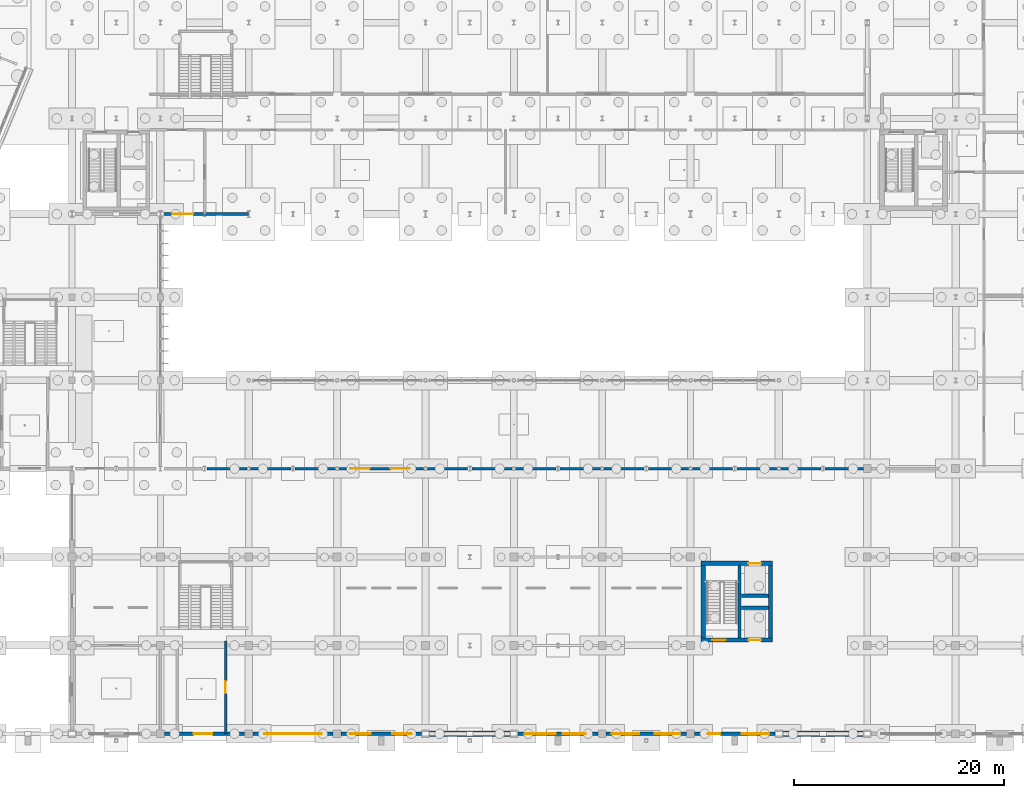
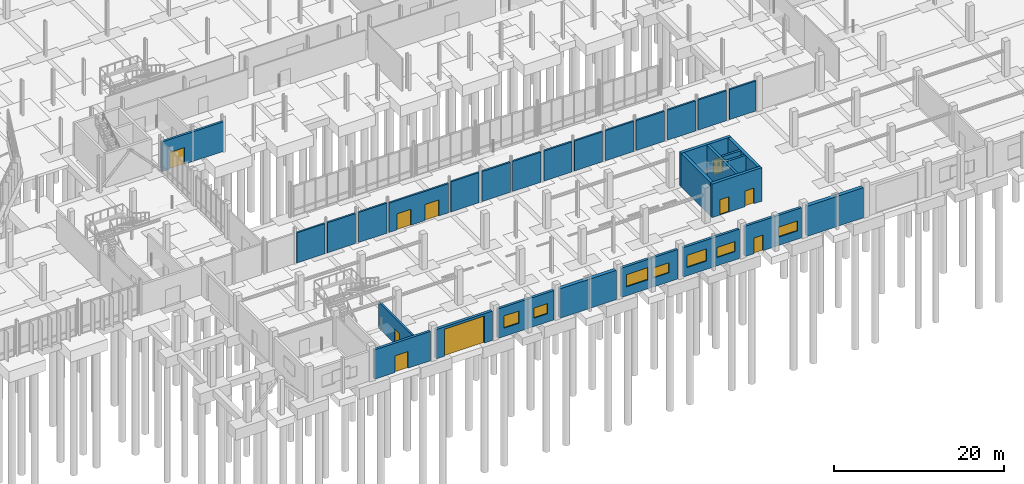
# One storey, part 82 of 119: 31 walls, 10 doors, 7 windows, 17 openings.
"""IFC4 building model written with IfcOpenShell, lengths in metres."""

from ifc_helpers import new_model, si_unit, derived_unit, direction, frame, frame_2d, origin, place, context, subcontext, project, spatial, rectangle, extrude, material, layer, layer_set, type_object, element, fill, save


model = new_model("IFC4")

# Units and contexts
model_context = context("Model", 3, precision=1e-05, world=origin(), true_north=direction((0.0, 1.0)))
body_context = subcontext(model_context, "Body", "Model", "MODEL_VIEW")
ifc_project = project(units=[si_unit("LENGTHUNIT", "METRE"), si_unit("AREAUNIT", "SQUARE_METRE"), si_unit("VOLUMEUNIT", "CUBIC_METRE"), si_unit("PLANEANGLEUNIT", "RADIAN"), si_unit("MASSUNIT", "GRAM", prefix="KILO"), derived_unit("THERMALTRANSMITTANCEUNIT", [(si_unit("MASSUNIT", "GRAM", prefix="KILO"), 1), (si_unit("TIMEUNIT", "SECOND"), -3), (si_unit("THERMODYNAMICTEMPERATUREUNIT", "KELVIN"), -1)])], contexts=[model_context])

# Site, building, storey
site_placement = place(None, origin())
site = spatial("IfcSite", under=ifc_project, at=site_placement, CompositionType="ELEMENT")
building_placement = place(site_placement, origin())
building = spatial("IfcBuilding", under=site, at=building_placement, Name="Makaiwela Harbour Ferry Terminal", CompositionType="ELEMENT")
storey_placement = place(building_placement, origin())
storey = spatial("IfcBuildingStorey", under=building, at=storey_placement, Name="L00", CompositionType="ELEMENT", Elevation=0.0)

# Wall, opening, door
ifc_material_1 = material(Name="Precast concrete f'c 40 MPa (6000 psi) with Hawaiian basalt rainscreen", Category="masonry")
ifc_layer_1 = layer(ifc_material_1, 0.300048828125)
ifc_layer_set_1 = layer_set([ifc_layer_1], Name="Precast concrete f'c 40 MPa (6000 psi) with Hawaiian basalt rainscreen")
wall_type_1 = type_object("IfcWallType", Name="ENV-WL-EXT300", PredefinedType="SOLIDWALL", material=ifc_layer_set_1)
wall_1_placement = place(storey_placement, frame((79.784912109375, 49.39990234375, 0.0), z_axis=(0.0, 0.0, 1.0), x_axis=(-1.0, 0.0, 0.0)))
wall_1 = element("IfcWall", 1, at=wall_1_placement, inside=storey, type_object=wall_type_1, Name="Exterior Wall EW-004", PredefinedType="SOLIDWALL", context=body_context, shape_type="SweptSolid", body=[
    extrude(rectangle(XDim=8.369873046875, YDim=0.300048828125, at=frame_2d((4.18505859375, 0.0))), origin(), (0.0, 0.0, 1.0), 4.258056640625),
])
opening_1_placement = place(wall_1_placement, frame((5.277587890625, 0.0, 0.0)))
opening_1 = element("IfcOpeningElement", 2, at=opening_1_placement, cuts=wall_1, Name="Opening ED-02", PredefinedType="OPENING", context=body_context, shape_type="SweptSolid", body=[
    extrude(rectangle(XDim=2.0, YDim=2.39990234375, at=frame_2d((1.0, 1.199951171875))), frame((0.0, 0.159912109375, 0.0), z_axis=(0.0, -1.0, 0.0), x_axis=(1.0, 0.0, 0.0)), (0.0, 0.0, 1.0), 0.320068359375),
])
ifc_material_2 = material(Name="Marine anodised aluminium 6063-T6", Category="aluminium")
door_type_1 = type_object("IfcDoorType", Name="ENV-DR-EXT200", OperationType="NOTDEFINED", PredefinedType="DOOR", material=ifc_material_2)
door_1_placement = place(opening_1_placement, origin())
door_1 = element("IfcDoor", 3, at=door_1_placement, inside=storey, type_object=door_type_1, Name="Exterior Door ED-02", OperationType="DOUBLE_DOOR_SINGLE_SWING", OverallHeight=2.39990234375, OverallWidth=2.0, PredefinedType="DOOR", context=body_context, shape_type="SweptSolid", body=[
    extrude(rectangle(XDim=2.0, YDim=2.39990234375, at=frame_2d((1.0, 1.199951171875))), frame((0.0, 0.02490234375, 0.0), z_axis=(0.0, -1.0, 0.0), x_axis=(1.0, 0.0, 0.0)), (0.0, 0.0, 1.0), 0.050048828125),
])
fill(opening_1, door_1)

ifc_layer_2 = layer(ifc_material_1, 0.340087890625)
ifc_layer_set_2 = layer_set([ifc_layer_2], Name="Precast concrete f'c 40 MPa (6000 psi) with Hawaiian basalt rainscreen")
wall_type_2 = type_object("IfcWallType", Name="ENV-WL-EXT340", PredefinedType="SOLIDWALL", material=ifc_layer_set_2)
wall_2_placement = place(storey_placement, frame((79.4169921875, 0.0, 0.0), z_axis=(0.0, 0.0, 1.0), x_axis=(-1.0, 0.0, 0.0)))
wall_2 = element("IfcWall", 4, at=wall_2_placement, inside=storey, type_object=wall_type_2, Name="Exterior Wall EW-020", PredefinedType="SOLIDWALL", context=body_context, shape_type="SweptSolid", body=[
    extrude(rectangle(XDim=7.634033203125, YDim=0.340087890625, at=frame_2d((3.81689453125, 0.0))), origin(), (0.0, 0.0, 1.0), 4.22607421875),
])
opening_2_placement = place(wall_2_placement, frame((3.069580078125, 0.0, 0.0)))
opening_2 = element("IfcOpeningElement", 5, at=opening_2_placement, cuts=wall_2, Name="Opening ED-01", PredefinedType="OPENING", context=body_context, shape_type="SweptSolid", body=[
    extrude(rectangle(XDim=1.800048828125, YDim=2.39990234375, at=frame_2d((0.89990234375, 1.199951171875))), frame((0.0, 0.179931640625, 0.0), z_axis=(0.0, -1.0, 0.0), x_axis=(1.0, 0.0, 0.0)), (0.0, 0.0, 1.0), 0.360107421875),
])
door_type_2 = type_object("IfcDoorType", Name="ENV-DR-EXT180", OperationType="NOTDEFINED", PredefinedType="DOOR", material=ifc_material_2)
door_2_placement = place(opening_2_placement, origin())
door_2 = element("IfcDoor", 6, at=door_2_placement, inside=storey, type_object=door_type_2, Name="Exterior Door ED-01", OperationType="DOUBLE_DOOR_SINGLE_SWING", OverallHeight=2.39990234375, OverallWidth=1.800048828125, PredefinedType="DOOR", context=body_context, shape_type="SweptSolid", body=[
    extrude(rectangle(XDim=1.800048828125, YDim=2.39990234375, at=frame_2d((0.89990234375, 1.199951171875))), frame((0.0, 0.02490234375, 0.0), z_axis=(0.0, -1.0, 0.0), x_axis=(1.0, 0.0, 0.0)), (0.0, 0.0, 1.0), 0.050048828125),
])
fill(opening_2, door_2)

# Wall, openings, windows
wall_3_placement = place(storey_placement, frame((96.217041015625, 0.0, 0.0), z_axis=(0.0, 0.0, 1.0), x_axis=(-1.0, 0.0, 0.0)))
wall_3 = element("IfcWall", 7, at=wall_3_placement, inside=storey, type_object=wall_type_2, Name="Exterior Wall EW-024", PredefinedType="SOLIDWALL", context=body_context, shape_type="SweptSolid", body=[
    extrude(rectangle(XDim=7.634033203125, YDim=0.340087890625, at=frame_2d((3.81689453125, 0.0))), origin(), (0.0, 0.0, 1.0), 4.22607421875),
])
opening_3_placement = place(wall_3_placement, frame((0.9072265625, 0.0, 1.199951171875)))
opening_3 = element("IfcOpeningElement", 8, at=opening_3_placement, cuts=wall_3, Name="Opening W-12", PredefinedType="OPENING", context=body_context, shape_type="SweptSolid", body=[
    extrude(rectangle(XDim=1.85009765625, YDim=1.449951171875, at=frame_2d((0.925048828125, 0.72509765625))), frame((0.0, 0.179931640625, 0.0), z_axis=(0.0, -1.0, 0.0), x_axis=(1.0, 0.0, 0.0)), (0.0, 0.0, 1.0), 0.360107421875),
])
opening_4_placement = place(wall_3_placement, frame((4.8017578125, 0.0, 1.199951171875)))
opening_4 = element("IfcOpeningElement", 9, at=opening_4_placement, cuts=wall_3, Name="Opening W-23", PredefinedType="OPENING", context=body_context, shape_type="SweptSolid", body=[
    extrude(rectangle(XDim=2.0, YDim=1.75, at=frame_2d((1.0, 0.875))), frame((0.0, 0.179931640625, 0.0), z_axis=(0.0, -1.0, 0.0), x_axis=(1.0, 0.0, 0.0)), (0.0, 0.0, 1.0), 0.360107421875),
])
ifc_material_3 = material(Name="Laminated hurricane-impact low-E insulated glazing", Category="glass")
window_type_1 = type_object("IfcWindowType", Name="ENV-WIN-12", PartitioningType="SINGLE_PANEL", PredefinedType="WINDOW", material=ifc_material_3)
window_1_placement = place(opening_3_placement, origin())
window_1 = element("IfcWindow", 10, at=window_1_placement, inside=storey, type_object=window_type_1, Name="Exterior Window W-12", OverallHeight=1.449951171875, OverallWidth=1.85009765625, PartitioningType="SINGLE_PANEL", PredefinedType="WINDOW", context=body_context, shape_type="SweptSolid", body=[
    extrude(rectangle(XDim=1.85009765625, YDim=1.449951171875, at=frame_2d((0.925048828125, 0.72509765625))), frame((0.0, 0.030029296875, 0.0), z_axis=(0.0, -1.0, 0.0), x_axis=(1.0, 0.0, 0.0)), (0.0, 0.0, 1.0), 0.06005859375),
])
fill(opening_3, window_1)
window_type_2 = type_object("IfcWindowType", Name="ENV-WIN-23", PartitioningType="SINGLE_PANEL", PredefinedType="WINDOW", material=ifc_material_3)
window_2_placement = place(opening_4_placement, origin())
window_2 = element("IfcWindow", 11, at=window_2_placement, inside=storey, type_object=window_type_2, Name="Exterior Window W-23", OverallHeight=1.75, OverallWidth=2.0, PartitioningType="SINGLE_PANEL", PredefinedType="WINDOW", context=body_context, shape_type="SweptSolid", body=[
    extrude(rectangle(XDim=2.0, YDim=1.75, at=frame_2d((1.0, 0.875))), frame((0.0, 0.030029296875, 0.0), z_axis=(0.0, -1.0, 0.0), x_axis=(1.0, 0.0, 0.0)), (0.0, 0.0, 1.0), 0.06005859375),
])
fill(opening_4, window_2)

wall_4_placement = place(storey_placement, frame((113.01708984375, 0.0, 0.0), z_axis=(0.0, 0.0, 1.0), x_axis=(-1.0, 0.0, 0.0)))
wall_4 = element("IfcWall", 12, at=wall_4_placement, inside=storey, type_object=wall_type_2, Name="Exterior Wall EW-028", PredefinedType="SOLIDWALL", context=body_context, shape_type="SweptSolid", body=[
    extrude(rectangle(XDim=7.634033203125, YDim=0.340087890625, at=frame_2d((3.81689453125, 0.0))), origin(), (0.0, 0.0, 1.0), 4.22607421875),
])
opening_5_placement = place(wall_4_placement, frame((1.190185546875, 0.0, 1.300048828125)))
opening_5 = element("IfcOpeningElement", 13, at=opening_5_placement, cuts=wall_4, Name="Opening W-14", PredefinedType="OPENING", context=body_context, shape_type="SweptSolid", body=[
    extrude(rectangle(XDim=2.199951171875, YDim=1.449951171875, at=frame_2d((1.10009765625, 0.72509765625))), frame((0.0, 0.179931640625, 0.0), z_axis=(0.0, -1.0, 0.0), x_axis=(1.0, 0.0, 0.0)), (0.0, 0.0, 1.0), 0.360107421875),
])
opening_6_placement = place(wall_4_placement, frame((4.04638671875, 0.0, 1.300048828125)))
opening_6 = element("IfcOpeningElement", 14, at=opening_6_placement, cuts=wall_4, Name="Opening W-27", PredefinedType="OPENING", context=body_context, shape_type="SweptSolid", body=[
    extrude(rectangle(XDim=2.89990234375, YDim=1.75, at=frame_2d((1.449951171875, 0.875))), frame((0.0, 0.179931640625, 0.0), z_axis=(0.0, -1.0, 0.0), x_axis=(1.0, 0.0, 0.0)), (0.0, 0.0, 1.0), 0.360107421875),
])
window_type_3 = type_object("IfcWindowType", Name="ENV-WIN-14", PartitioningType="SINGLE_PANEL", PredefinedType="WINDOW", material=ifc_material_3)
window_3_placement = place(opening_5_placement, origin())
window_3 = element("IfcWindow", 15, at=window_3_placement, inside=storey, type_object=window_type_3, Name="Exterior Window W-14", OverallHeight=1.449951171875, OverallWidth=2.199951171875, PartitioningType="SINGLE_PANEL", PredefinedType="WINDOW", context=body_context, shape_type="SweptSolid", body=[
    extrude(rectangle(XDim=2.199951171875, YDim=1.449951171875, at=frame_2d((1.10009765625, 0.72509765625))), frame((0.0, 0.030029296875, 0.0), z_axis=(0.0, -1.0, 0.0), x_axis=(1.0, 0.0, 0.0)), (0.0, 0.0, 1.0), 0.06005859375),
])
fill(opening_5, window_3)
window_type_4 = type_object("IfcWindowType", Name="ENV-WIN-27", PartitioningType="SINGLE_PANEL", PredefinedType="WINDOW", material=ifc_material_3)
window_4_placement = place(opening_6_placement, origin())
window_4 = element("IfcWindow", 16, at=window_4_placement, inside=storey, type_object=window_type_4, Name="Exterior Window W-27", OverallHeight=1.75, OverallWidth=2.89990234375, PartitioningType="SINGLE_PANEL", PredefinedType="WINDOW", context=body_context, shape_type="SweptSolid", body=[
    extrude(rectangle(XDim=2.89990234375, YDim=1.75, at=frame_2d((1.449951171875, 0.875))), frame((0.0, 0.030029296875, 0.0), z_axis=(0.0, -1.0, 0.0), x_axis=(1.0, 0.0, 0.0)), (0.0, 0.0, 1.0), 0.06005859375),
])
fill(opening_6, window_4)

wall_5_placement = place(storey_placement, frame((121.4169921875, 0.0, 0.0), z_axis=(0.0, 0.0, 1.0), x_axis=(-1.0, 0.0, 0.0)))
wall_5 = element("IfcWall", 17, at=wall_5_placement, inside=storey, type_object=wall_type_2, Name="Exterior Wall EW-030", PredefinedType="SOLIDWALL", context=body_context, shape_type="SweptSolid", body=[
    extrude(rectangle(XDim=7.634033203125, YDim=0.340087890625, at=frame_2d((3.81689453125, 0.0))), origin(), (0.0, 0.0, 1.0), 4.22607421875),
])
opening_7_placement = place(wall_5_placement, frame((0.632080078125, 0.0, 1.199951171875)))
opening_7 = element("IfcOpeningElement", 18, at=opening_7_placement, cuts=wall_5, Name="Opening W-15", PredefinedType="OPENING", context=body_context, shape_type="SweptSolid", body=[
    extrude(rectangle(XDim=2.39990234375, YDim=1.449951171875, at=frame_2d((1.199951171875, 0.72509765625))), frame((0.0, 0.179931640625, 0.0), z_axis=(0.0, -1.0, 0.0), x_axis=(1.0, 0.0, 0.0)), (0.0, 0.0, 1.0), 0.360107421875),
])
opening_8_placement = place(wall_5_placement, frame((4.476806640625, 0.0, 1.199951171875)))
opening_8 = element("IfcOpeningElement", 19, at=opening_8_placement, cuts=wall_5, Name="Opening W-26", PredefinedType="OPENING", context=body_context, shape_type="SweptSolid", body=[
    extrude(rectangle(XDim=2.64990234375, YDim=1.75, at=frame_2d((1.324951171875, 0.875))), frame((0.0, 0.179931640625, 0.0), z_axis=(0.0, -1.0, 0.0), x_axis=(1.0, 0.0, 0.0)), (0.0, 0.0, 1.0), 0.360107421875),
])
window_type_5 = type_object("IfcWindowType", Name="ENV-WIN-15", PartitioningType="SINGLE_PANEL", PredefinedType="WINDOW", material=ifc_material_3)
window_5_placement = place(opening_7_placement, origin())
window_5 = element("IfcWindow", 20, at=window_5_placement, inside=storey, type_object=window_type_5, Name="Exterior Window W-15", OverallHeight=1.449951171875, OverallWidth=2.39990234375, PartitioningType="SINGLE_PANEL", PredefinedType="WINDOW", context=body_context, shape_type="SweptSolid", body=[
    extrude(rectangle(XDim=2.39990234375, YDim=1.449951171875, at=frame_2d((1.199951171875, 0.72509765625))), frame((0.0, 0.030029296875, 0.0), z_axis=(0.0, -1.0, 0.0), x_axis=(1.0, 0.0, 0.0)), (0.0, 0.0, 1.0), 0.06005859375),
])
fill(opening_7, window_5)
window_type_6 = type_object("IfcWindowType", Name="ENV-WIN-26", PartitioningType="SINGLE_PANEL", PredefinedType="WINDOW", material=ifc_material_3)
window_6_placement = place(opening_8_placement, origin())
window_6 = element("IfcWindow", 21, at=window_6_placement, inside=storey, type_object=window_type_6, Name="Exterior Window W-26", OverallHeight=1.75, OverallWidth=2.64990234375, PartitioningType="SINGLE_PANEL", PredefinedType="WINDOW", context=body_context, shape_type="SweptSolid", body=[
    extrude(rectangle(XDim=2.64990234375, YDim=1.75, at=frame_2d((1.324951171875, 0.875))), frame((0.0, 0.030029296875, 0.0), z_axis=(0.0, -1.0, 0.0), x_axis=(1.0, 0.0, 0.0)), (0.0, 0.0, 1.0), 0.06005859375),
])
fill(opening_8, window_6)

# Wall, openings, door, window
wall_6_placement = place(storey_placement, frame((129.81689453125, 0.0, 0.0), z_axis=(0.0, 0.0, 1.0), x_axis=(-1.0, 0.0, 0.0)))
wall_6 = element("IfcWall", 22, at=wall_6_placement, inside=storey, type_object=wall_type_2, Name="Exterior Wall EW-032", PredefinedType="SOLIDWALL", context=body_context, shape_type="SweptSolid", body=[
    extrude(rectangle(XDim=7.6337890625, YDim=0.340087890625, at=frame_2d((3.81689453125, 0.0))), origin(), (0.0, 0.0, 1.0), 4.343994140625),
])
opening_9_placement = place(wall_6_placement, frame((5.201904296875, 0.0, 0.0)))
opening_9 = element("IfcOpeningElement", 23, at=opening_9_placement, cuts=wall_6, Name="Opening ED-05", PredefinedType="OPENING", context=body_context, shape_type="SweptSolid", body=[
    extrude(rectangle(XDim=1.199951171875, YDim=2.25, at=frame_2d((0.60009765625, 1.125))), frame((0.0, 0.179931640625, 0.0), z_axis=(0.0, -1.0, 0.0), x_axis=(1.0, 0.0, 0.0)), (0.0, 0.0, 1.0), 0.360107421875),
])
opening_10_placement = place(wall_6_placement, frame((0.5322265625, 0.0, 1.199951171875)))
opening_10 = element("IfcOpeningElement", 24, at=opening_10_placement, cuts=wall_6, Name="Opening W-16", PredefinedType="OPENING", context=body_context, shape_type="SweptSolid", body=[
    extrude(rectangle(XDim=2.60009765625, YDim=1.449951171875, at=frame_2d((1.300048828125, 0.72509765625))), frame((0.0, 0.179931640625, 0.0), z_axis=(0.0, -1.0, 0.0), x_axis=(1.0, 0.0, 0.0)), (0.0, 0.0, 1.0), 0.360107421875),
])
door_type_3 = type_object("IfcDoorType", Name="ENV-DR-EXT120", OperationType="NOTDEFINED", PredefinedType="DOOR", material=ifc_material_2)
door_3_placement = place(opening_9_placement, origin())
door_3 = element("IfcDoor", 25, at=door_3_placement, inside=storey, type_object=door_type_3, Name="Exterior Door ED-05", OperationType="SINGLE_SWING_RIGHT", OverallHeight=2.25, OverallWidth=1.199951171875, PredefinedType="DOOR", context=body_context, shape_type="SweptSolid", body=[
    extrude(rectangle(XDim=1.199951171875, YDim=2.25, at=frame_2d((0.60009765625, 1.125))), frame((0.0, 0.02490234375, 0.0), z_axis=(0.0, -1.0, 0.0), x_axis=(1.0, 0.0, 0.0)), (0.0, 0.0, 1.0), 0.050048828125),
])
fill(opening_9, door_3)
window_type_7 = type_object("IfcWindowType", Name="ENV-WIN-16", PartitioningType="SINGLE_PANEL", PredefinedType="WINDOW", material=ifc_material_3)
window_7_placement = place(opening_10_placement, origin())
window_7 = element("IfcWindow", 26, at=window_7_placement, inside=storey, type_object=window_type_7, Name="Exterior Window W-16", OverallHeight=1.449951171875, OverallWidth=2.60009765625, PartitioningType="SINGLE_PANEL", PredefinedType="WINDOW", context=body_context, shape_type="SweptSolid", body=[
    extrude(rectangle(XDim=2.60009765625, YDim=1.449951171875, at=frame_2d((1.300048828125, 0.72509765625))), frame((0.0, 0.030029296875, 0.0), z_axis=(0.0, -1.0, 0.0), x_axis=(1.0, 0.0, 0.0)), (0.0, 0.0, 1.0), 0.06005859375),
])
fill(opening_10, window_7)

# Wall, opening, door
ifc_material_4 = material(Name="Precast concrete f'c 40 MPa (6000 psi)", Category="concrete")
ifc_layer_3 = layer(ifc_material_4, 0.3798828125)
ifc_layer_set_3 = layer_set([ifc_layer_3], Name="Precast concrete f'c 40 MPa (6000 psi)")
wall_type_3 = type_object("IfcWallType", Name="ENV-WL-EXT380", PredefinedType="SOLIDWALL", material=ifc_layer_set_3)
wall_7_placement = place(storey_placement, frame((87.81689453125, 0.0, 0.0), z_axis=(0.0, 0.0, 1.0), x_axis=(-1.0, 0.0, 0.0)))
wall_7 = element("IfcWall", 27, at=wall_7_placement, inside=storey, type_object=wall_type_3, Name="Exterior Wall EW-022", PredefinedType="SOLIDWALL", context=body_context, shape_type="SweptSolid", body=[
    extrude(rectangle(XDim=7.6337890625, YDim=0.3798828125, at=frame_2d((3.81689453125, 0.0))), origin(), (0.0, 0.0, 1.0), 4.22607421875),
])
opening_11_placement = place(wall_7_placement, frame((1.092041015625, 0.0, 0.0)))
opening_11 = element("IfcOpeningElement", 28, at=opening_11_placement, cuts=wall_7, Name="Opening VG-03", PredefinedType="OPENING", context=body_context, shape_type="SweptSolid", body=[
    extrude(rectangle(XDim=5.449951171875, YDim=3.89990234375, at=frame_2d((2.72509765625, 1.949951171875))), frame((0.0, 0.199951171875, 0.0), z_axis=(0.0, -1.0, 0.0), x_axis=(1.0, 0.0, 0.0)), (0.0, 0.0, 1.0), 0.39990234375),
])
door_type_4 = type_object("IfcDoorType", Name="ENV-GT-VEH03", OperationType="NOTDEFINED", PredefinedType="GATE", material=ifc_material_2)
door_4_placement = place(opening_11_placement, origin())
door_4 = element("IfcDoor", 29, at=door_4_placement, inside=storey, type_object=door_type_4, Name="Exterior Door VG-03", OperationType="ROLLINGUP", OverallHeight=3.89990234375, OverallWidth=5.449951171875, PredefinedType="GATE", context=body_context, shape_type="SweptSolid", body=[
    extrude(rectangle(XDim=5.449951171875, YDim=3.89990234375, at=frame_2d((2.72509765625, 1.949951171875))), frame((0.0, 0.02490234375, 0.0), z_axis=(0.0, -1.0, 0.0), x_axis=(1.0, 0.0, 0.0)), (0.0, 0.0, 1.0), 0.050048828125),
])
fill(opening_11, door_4)

# Walls
ifc_layer_4 = layer(ifc_material_4, 0.47998046875)
ifc_layer_set_4 = layer_set([ifc_layer_4], Name="Precast concrete f'c 40 MPa (6000 psi)")
wall_type_4 = type_object("IfcWallType", Name="ENV-WL-EXT480", PredefinedType="SOLIDWALL", material=ifc_layer_set_4)
wall_8_placement = place(storey_placement, frame((104.616943359375, 0.0, 0.0), z_axis=(0.0, 0.0, 1.0), x_axis=(-1.0, 0.0, 0.0)))
element("IfcWall", 30, at=wall_8_placement, inside=storey, type_object=wall_type_4, Name="Exterior Wall EW-026", PredefinedType="SOLIDWALL", context=body_context, shape_type="SweptSolid", body=[
    extrude(rectangle(XDim=7.634033203125, YDim=0.47998046875, at=frame_2d((3.81689453125, 0.0))), origin(), (0.0, 0.0, 1.0), 4.22607421875),
])
wall_9_placement = place(storey_placement, frame((138.217041015625, 0.0, 0.0), z_axis=(0.0, 0.0, 1.0), x_axis=(-1.0, 0.0, 0.0)))
element("IfcWall", 31, at=wall_9_placement, inside=storey, type_object=wall_type_4, Name="Exterior Wall EW-034", PredefinedType="SOLIDWALL", context=body_context, shape_type="SweptSolid", body=[
    extrude(rectangle(XDim=7.634033203125, YDim=0.47998046875, at=frame_2d((3.81689453125, 0.0))), origin(), (0.0, 0.0, 1.0), 4.343994140625),
])

# Wall, opening, door
ifc_material_5 = material(Name="Fire-rated gypsum board on steel studs", Category="steel")
ifc_layer_5 = layer(ifc_material_5, 0.239990234375)
ifc_layer_set_5 = layer_set([ifc_layer_5], Name="Fire-rated gypsum board on steel studs")
wall_type_5 = type_object("IfcWallType", Name="INT-WL-FIR240", PredefinedType="SOLIDWALL", material=ifc_layer_set_5)
wall_10_placement = place(storey_placement, frame((77.60009765625, 0.0400390625, 0.0), z_axis=(0.0, 0.0, 1.0), x_axis=(0.0, 1.0, 0.0)))
wall_10 = element("IfcWall", 32, at=wall_10_placement, inside=storey, type_object=wall_type_5, Name="Interior Wall IW-0438", PredefinedType="SOLIDWALL", context=body_context, shape_type="SweptSolid", body=[
    extrude(rectangle(XDim=8.760009765625, YDim=0.239990234375, at=frame_2d((4.3798828125, 0.0))), origin(), (0.0, 0.0, 1.0), 3.77001953125),
])
opening_12_placement = place(wall_10_placement, frame((3.804931640625, 0.0, 0.0)))
opening_12 = element("IfcOpeningElement", 33, at=opening_12_placement, cuts=wall_10, Name="Opening D-01", PredefinedType="OPENING", context=body_context, shape_type="SweptSolid", body=[
    extrude(rectangle(XDim=1.14990234375, YDim=2.14990234375, at=frame_2d((0.574951171875, 1.074951171875))), frame((0.0, 0.1298828125, 0.0), z_axis=(0.0, -1.0, 0.0), x_axis=(1.0, 0.0, 0.0)), (0.0, 0.0, 1.0), 0.260009765625),
])
ifc_material_6 = material(Name="Insulated galvanised fire-rated steel leaf and frame", Category="steel")
door_type_5 = type_object("IfcDoorType", Name="INT-DR-ST115", OperationType="NOTDEFINED", PredefinedType="DOOR", material=ifc_material_6)
door_5_placement = place(opening_12_placement, origin())
door_5 = element("IfcDoor", 34, at=door_5_placement, inside=storey, type_object=door_type_5, Name="Door D-01", OperationType="SINGLE_SWING_LEFT", OverallHeight=2.14990234375, OverallWidth=1.14990234375, PredefinedType="DOOR", context=body_context, shape_type="SweptSolid", body=[
    extrude(rectangle(XDim=1.14990234375, YDim=2.14990234375, at=frame_2d((0.574951171875, 1.074951171875))), frame((0.0, 0.02490234375, 0.0), z_axis=(0.0, -1.0, 0.0), x_axis=(1.0, 0.0, 0.0)), (0.0, 0.0, 1.0), 0.050048828125),
])
fill(opening_12, door_5)

# Walls
for number, where, z_axis, x_axis, name in (
    (35, (75.805419921875, 25.199951171875, 0.0), (0.0, 0.0, 1.0), (1.0, 0.0, 0.0), "Interior Wall IW-0451"),
    (36, (79.951904296875, 25.199951171875, 0.0), (0.0, 0.0, 1.0), (1.0, 0.0, 0.0), "Interior Wall IW-0452"),
    (37, (84.20556640625, 25.199951171875, 0.0), (0.0, 0.0, 1.0), (1.0, 0.0, 0.0), "Interior Wall IW-0453"),
):
    element("IfcWall", number, at=place(storey_placement, frame(where, z_axis=z_axis, x_axis=x_axis)), inside=storey, type_object=wall_type_5, Name=name, PredefinedType="SOLIDWALL", context=body_context, shape_type="SweptSolid", body=[
        extrude(rectangle(XDim=3.842529296875, YDim=0.239990234375, at=frame_2d((1.92138671875, 0.0))), origin(), (0.0, 0.0, 1.0), 4.323974609375),
    ])

# Wall, openings, doors
wall_11_placement = place(storey_placement, frame((88.35205078125, 25.199951171875, 0.0), z_axis=(0.0, 0.0, 1.0), x_axis=(1.0, 0.0, 0.0)))
wall_11 = element("IfcWall", 38, at=wall_11_placement, inside=storey, type_object=wall_type_5, Name="Interior Wall IW-0454", PredefinedType="SOLIDWALL", context=body_context, shape_type="SweptSolid", body=[
    extrude(rectangle(XDim=8.095947265625, YDim=0.239990234375, at=frame_2d((4.0478515625, 0.0))), origin(), (0.0, 0.0, 1.0), 4.2060546875),
])
opening_13_placement = place(wall_11_placement, frame((1.09912109375, 0.0, 0.0)))
opening_13 = element("IfcOpeningElement", 39, at=opening_13_placement, cuts=wall_11, Name="Opening D-05", PredefinedType="OPENING", context=body_context, shape_type="SweptSolid", body=[
    extrude(rectangle(XDim=1.85009765625, YDim=2.300048828125, at=frame_2d((0.925048828125, 1.14990234375))), frame((0.0, 0.1298828125, 0.0), z_axis=(0.0, -1.0, 0.0), x_axis=(1.0, 0.0, 0.0)), (0.0, 0.0, 1.0), 0.260009765625),
])
opening_14_placement = place(wall_11_placement, frame((4.904052734375, 0.0, 0.0)))
opening_14 = element("IfcOpeningElement", 40, at=opening_14_placement, cuts=wall_11, Name="Opening D-05", PredefinedType="OPENING", context=body_context, shape_type="SweptSolid", body=[
    extrude(rectangle(XDim=1.85009765625, YDim=2.300048828125, at=frame_2d((0.925048828125, 1.14990234375))), frame((0.0, 0.1298828125, 0.0), z_axis=(0.0, -1.0, 0.0), x_axis=(1.0, 0.0, 0.0)), (0.0, 0.0, 1.0), 0.260009765625),
])
door_type_6 = type_object("IfcDoorType", Name="INT-DR-COR185", OperationType="NOTDEFINED", PredefinedType="DOOR", material=ifc_material_6)
door_6_placement = place(opening_13_placement, origin())
door_6 = element("IfcDoor", 41, at=door_6_placement, inside=storey, type_object=door_type_6, Name="Door D-05", OperationType="DOUBLE_DOOR_SINGLE_SWING", OverallHeight=2.300048828125, OverallWidth=1.85009765625, PredefinedType="DOOR", context=body_context, shape_type="SweptSolid", body=[
    extrude(rectangle(XDim=1.85009765625, YDim=2.300048828125, at=frame_2d((0.925048828125, 1.14990234375))), frame((0.0, 0.02490234375, 0.0), z_axis=(0.0, -1.0, 0.0), x_axis=(1.0, 0.0, 0.0)), (0.0, 0.0, 1.0), 0.050048828125),
])
fill(opening_13, door_6)
door_7_placement = place(opening_14_placement, origin())
door_7 = element("IfcDoor", 42, at=door_7_placement, inside=storey, type_object=door_type_6, Name="Door D-05", OperationType="DOUBLE_DOOR_SINGLE_SWING", OverallHeight=2.300048828125, OverallWidth=1.85009765625, PredefinedType="DOOR", context=body_context, shape_type="SweptSolid", body=[
    extrude(rectangle(XDim=1.85009765625, YDim=2.300048828125, at=frame_2d((0.925048828125, 1.14990234375))), frame((0.0, 0.02490234375, 0.0), z_axis=(0.0, -1.0, 0.0), x_axis=(1.0, 0.0, 0.0)), (0.0, 0.0, 1.0), 0.050048828125),
])
fill(opening_14, door_7)

# Walls
wall_12_placement = place(storey_placement, frame((96.751953125, 25.199951171875, 0.0), z_axis=(0.0, 0.0, 1.0), x_axis=(1.0, 0.0, 0.0)))
element("IfcWall", 43, at=wall_12_placement, inside=storey, type_object=wall_type_5, Name="Interior Wall IW-0455", PredefinedType="SOLIDWALL", context=body_context, shape_type="SweptSolid", body=[
    extrude(rectangle(XDim=3.842529296875, YDim=0.239990234375, at=frame_2d((1.92138671875, 0.0))), origin(), (0.0, 0.0, 1.0), 4.323974609375),
])
for number, where, z_axis, x_axis, name in (
    (44, (101.005615234375, 25.199951171875, 0.0), (0.0, 0.0, 1.0), (1.0, 0.0, 0.0), "Interior Wall IW-0456"),
    (45, (105.152099609375, 25.199951171875, 0.0), (0.0, 0.0, 1.0), (1.0, 0.0, 0.0), "Interior Wall IW-0457"),
):
    element("IfcWall", number, at=place(storey_placement, frame(where, z_axis=z_axis, x_axis=x_axis)), inside=storey, type_object=wall_type_5, Name=name, PredefinedType="SOLIDWALL", context=body_context, shape_type="SweptSolid", body=[
        extrude(rectangle(XDim=3.84228515625, YDim=0.239990234375, at=frame_2d((1.921142578125, 0.0))), origin(), (0.0, 0.0, 1.0), 4.323974609375),
    ])
for number, where, z_axis, x_axis, name in (
    (46, (109.405517578125, 25.199951171875, 0.0), (0.0, 0.0, 1.0), (1.0, 0.0, 0.0), "Interior Wall IW-0458"),
    (47, (113.552001953125, 25.199951171875, 0.0), (0.0, 0.0, 1.0), (1.0, 0.0, 0.0), "Interior Wall IW-0459"),
    (48, (117.805419921875, 25.199951171875, 0.0), (0.0, 0.0, 1.0), (1.0, 0.0, 0.0), "Interior Wall IW-0460"),
    (49, (121.951904296875, 25.199951171875, 0.0), (0.0, 0.0, 1.0), (1.0, 0.0, 0.0), "Interior Wall IW-0461"),
    (50, (126.20556640625, 25.199951171875, 0.0), (0.0, 0.0, 1.0), (1.0, 0.0, 0.0), "Interior Wall IW-0462"),
    (51, (130.35205078125, 25.199951171875, 0.0), (0.0, 0.0, 1.0), (1.0, 0.0, 0.0), "Interior Wall IW-0463"),
):
    element("IfcWall", number, at=place(storey_placement, frame(where, z_axis=z_axis, x_axis=x_axis)), inside=storey, type_object=wall_type_5, Name=name, PredefinedType="SOLIDWALL", context=body_context, shape_type="SweptSolid", body=[
        extrude(rectangle(XDim=3.842529296875, YDim=0.239990234375, at=frame_2d((1.92138671875, 0.0))), origin(), (0.0, 0.0, 1.0), 4.323974609375),
    ])
wall_13_placement = place(storey_placement, frame((134.60546875, 25.199951171875, 0.0), z_axis=(0.0, 0.0, 1.0), x_axis=(1.0, 0.0, 0.0)))
element("IfcWall", 52, at=wall_13_placement, inside=storey, type_object=wall_type_5, Name="Interior Wall IW-0464", PredefinedType="SOLIDWALL", context=body_context, shape_type="SweptSolid", body=[
    extrude(rectangle(XDim=3.629638671875, YDim=0.239990234375, at=frame_2d((1.81494140625, 0.0))), origin(), (0.0, 0.0, 1.0), 4.323974609375),
])
ifc_material_7 = material(Name="Concrete f'c 45 MPa (6500 psi)", Category="concrete")
ifc_layer_6 = layer(ifc_material_7, 0.320068359375)
ifc_layer_set_6 = layer_set([ifc_layer_6], Name="Concrete f'c 45 MPa (6500 psi)")
wall_type_6 = type_object("IfcWallType", Name="INT-WL-SHR320", PredefinedType="SHEAR", material=ifc_layer_set_6)
wall_14_placement = place(storey_placement, frame((126.4560546875, 9.110107421875, 0.0), z_axis=(0.0, 0.0, 1.0), x_axis=(0.0, 1.0, 0.0)))
element("IfcWall", 53, at=wall_14_placement, inside=storey, type_object=wall_type_6, Name="Interior Wall IW-0218", PredefinedType="SHEAR", context=body_context, shape_type="SweptSolid", body=[
    extrude(rectangle(XDim=6.8798828125, YDim=0.320068359375, at=frame_2d((3.43994140625, 0.0))), origin(), (0.0, 0.0, 1.0), 4.820068359375),
])
for number, where, z_axis, x_axis, name in (
    (54, (126.62109375, 11.989990234375, 0.0), (0.0, 0.0, 1.0), (1.0, 0.0, 0.0), "Interior Wall IW-0219"),
    (55, (126.62109375, 13.110107421875, 0.0), (0.0, 0.0, 1.0), (1.0, 0.0, 0.0), "Interior Wall IW-0220"),
):
    element("IfcWall", number, at=place(storey_placement, frame(where, z_axis=z_axis, x_axis=x_axis)), inside=storey, type_object=wall_type_6, Name=name, PredefinedType="SHEAR", context=body_context, shape_type="SweptSolid", body=[
        extrude(rectangle(XDim=2.573974609375, YDim=0.320068359375, at=frame_2d((1.287109375, 0.0))), origin(), (0.0, 0.0, 1.0), 4.820068359375),
    ])

# Wall, openings, doors
ifc_layer_7 = layer(ifc_material_7, 0.39990234375)
ifc_layer_set_7 = layer_set([ifc_layer_7], Name="Concrete f'c 45 MPa (6500 psi)")
wall_type_7 = type_object("IfcWallType", Name="INT-WL-SHR400", PredefinedType="SHEAR", material=ifc_layer_set_7)
wall_15_placement = place(storey_placement, frame((122.800048828125, 8.89990234375, 0.0), z_axis=(0.0, 0.0, 1.0), x_axis=(1.0, 0.0, 0.0)))
wall_15 = element("IfcWall", 56, at=wall_15_placement, inside=storey, type_object=wall_type_7, Name="Interior Wall IW-0214", PredefinedType="SHEAR", context=body_context, shape_type="SweptSolid", body=[
    extrude(rectangle(XDim=6.800048828125, YDim=0.39990234375, at=frame_2d((3.39990234375, 0.0))), origin(), (0.0, 0.0, 1.0), 4.820068359375),
])
opening_15_placement = place(wall_15_placement, frame((1.074951171875, 0.0, 0.0)))
opening_15 = element("IfcOpeningElement", 57, at=opening_15_placement, cuts=wall_15, Name="Opening D-02", PredefinedType="OPENING", context=body_context, shape_type="SweptSolid", body=[
    extrude(rectangle(XDim=1.25, YDim=2.199951171875, at=frame_2d((0.625, 1.10009765625))), frame((0.0, 0.2099609375, 0.0), z_axis=(0.0, -1.0, 0.0), x_axis=(1.0, 0.0, 0.0)), (0.0, 0.0, 1.0), 0.419921875),
])
opening_16_placement = place(wall_15_placement, frame((4.50830078125, 0.0, 0.0)))
opening_16 = element("IfcOpeningElement", 58, at=opening_16_placement, cuts=wall_15, Name="Opening LD-02", PredefinedType="OPENING", context=body_context, shape_type="SweptSolid", body=[
    extrude(rectangle(XDim=1.199951171875, YDim=2.25, at=frame_2d((0.60009765625, 1.125))), frame((0.0, 0.2099609375, 0.0), z_axis=(0.0, -1.0, 0.0), x_axis=(1.0, 0.0, 0.0)), (0.0, 0.0, 1.0), 0.419921875),
])
ifc_material_8 = material(Name="Marine grade 316L brushed stainless steel", Category="steel")
door_type_7 = type_object("IfcDoorType", Name="INT-DR-LD120", OperationType="NOTDEFINED", PredefinedType="DOOR", material=ifc_material_8)
door_8_placement = place(opening_16_placement, frame((1.199951171875, 0.0, 0.0), z_axis=(0.0, 0.0, 1.0), x_axis=(-1.0, 0.0, 0.0)))
door_8 = element("IfcDoor", 59, at=door_8_placement, inside=storey, type_object=door_type_7, Name="Door LD-02", OperationType="DOUBLE_DOOR_SLIDING", OverallHeight=2.25, OverallWidth=1.199951171875, PredefinedType="DOOR", context=body_context, shape_type="SweptSolid", body=[
    extrude(rectangle(XDim=1.199951171875, YDim=2.25, at=frame_2d((0.60009765625, 1.125))), frame((0.0, 0.02490234375, 0.0), z_axis=(0.0, -1.0, 0.0), x_axis=(1.0, 0.0, 0.0)), (0.0, 0.0, 1.0), 0.050048828125),
])
fill(opening_16, door_8)
door_type_8 = type_object("IfcDoorType", Name="INT-DR-ST125", OperationType="NOTDEFINED", PredefinedType="DOOR", material=ifc_material_6)
door_9_placement = place(opening_15_placement, frame((1.25, 0.0, 0.0), z_axis=(0.0, 0.0, 1.0), x_axis=(-1.0, 0.0, 0.0)))
door_9 = element("IfcDoor", 60, at=door_9_placement, inside=storey, type_object=door_type_8, Name="Door D-02", OperationType="SINGLE_SWING_RIGHT", OverallHeight=2.199951171875, OverallWidth=1.25, PredefinedType="DOOR", context=body_context, shape_type="SweptSolid", body=[
    extrude(rectangle(XDim=1.25, YDim=2.199951171875, at=frame_2d((0.625, 1.10009765625))), frame((0.0, 0.02490234375, 0.0), z_axis=(0.0, -1.0, 0.0), x_axis=(1.0, 0.0, 0.0)), (0.0, 0.0, 1.0), 0.050048828125),
])
fill(opening_15, door_9)

# Wall, opening, door
wall_16_placement = place(storey_placement, frame((122.800048828125, 16.199951171875, 0.0), z_axis=(0.0, 0.0, 1.0), x_axis=(1.0, 0.0, 0.0)))
wall_16 = element("IfcWall", 61, at=wall_16_placement, inside=storey, type_object=wall_type_7, Name="Interior Wall IW-0215", PredefinedType="SHEAR", context=body_context, shape_type="SweptSolid", body=[
    extrude(rectangle(XDim=6.800048828125, YDim=0.39990234375, at=frame_2d((3.39990234375, 0.0))), origin(), (0.0, 0.0, 1.0), 4.820068359375),
])
opening_17_placement = place(wall_16_placement, frame((4.50830078125, 0.0, 0.0)))
opening_17 = element("IfcOpeningElement", 62, at=opening_17_placement, cuts=wall_16, Name="Opening LD-02", PredefinedType="OPENING", context=body_context, shape_type="SweptSolid", body=[
    extrude(rectangle(XDim=1.199951171875, YDim=2.25, at=frame_2d((0.60009765625, 1.125))), frame((0.0, 0.2099609375, 0.0), z_axis=(0.0, -1.0, 0.0), x_axis=(1.0, 0.0, 0.0)), (0.0, 0.0, 1.0), 0.419921875),
])
door_10_placement = place(opening_17_placement, origin())
door_10 = element("IfcDoor", 63, at=door_10_placement, inside=storey, type_object=door_type_7, Name="Door LD-02", OperationType="DOUBLE_DOOR_SLIDING", OverallHeight=2.25, OverallWidth=1.199951171875, PredefinedType="DOOR", context=body_context, shape_type="SweptSolid", body=[
    extrude(rectangle(XDim=1.199951171875, YDim=2.25, at=frame_2d((0.60009765625, 1.125))), frame((0.0, 0.02490234375, 0.0), z_axis=(0.0, -1.0, 0.0), x_axis=(1.0, 0.0, 0.0)), (0.0, 0.0, 1.0), 0.050048828125),
])
fill(opening_17, door_10)

# Walls
for number, where, z_axis, x_axis, name in (
    (64, (123.0, 9.110107421875, 0.0), (0.0, 0.0, 1.0), (0.0, 1.0, 0.0), "Interior Wall IW-0216"),
    (65, (129.39990234375, 9.110107421875, 0.0), (0.0, 0.0, 1.0), (0.0, 1.0, 0.0), "Interior Wall IW-0217"),
):
    element("IfcWall", number, at=place(storey_placement, frame(where, z_axis=z_axis, x_axis=x_axis)), inside=storey, type_object=wall_type_7, Name=name, PredefinedType="SHEAR", context=body_context, shape_type="SweptSolid", body=[
        extrude(rectangle(XDim=6.8798828125, YDim=0.39990234375, at=frame_2d((3.43994140625, 0.0))), origin(), (0.0, 0.0, 1.0), 4.820068359375),
    ])

save(model, "model.ifc")
